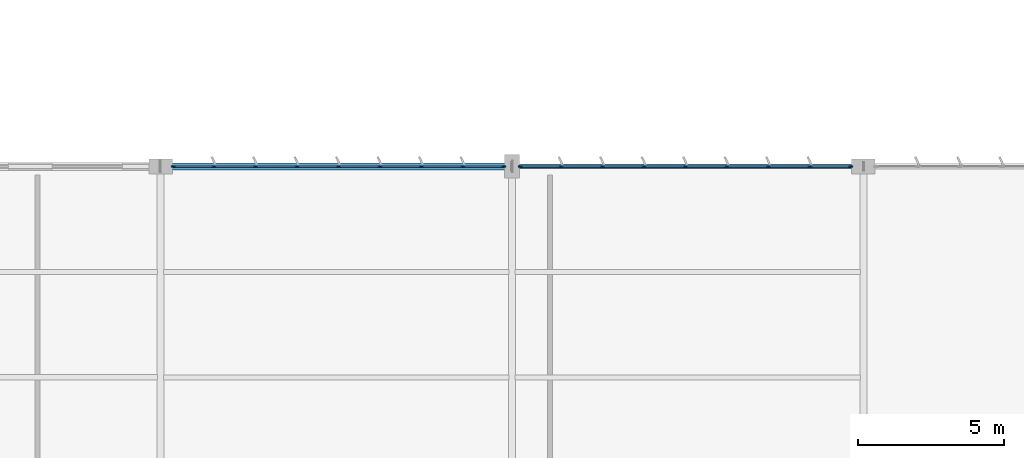
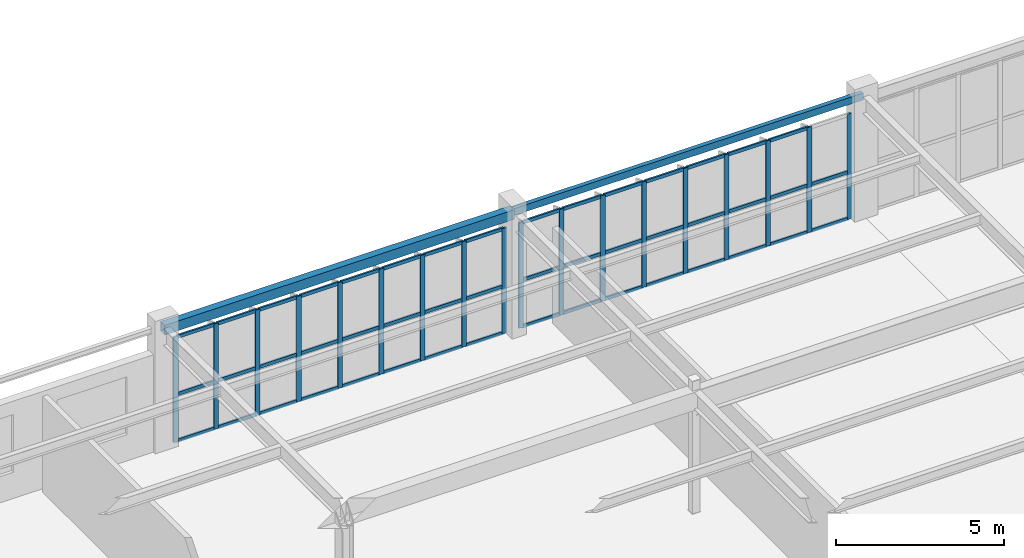
# One storey, part 111 of 199: 65 members, 2 beams, 2 elements without a shape of their own.
"""IFC4 building model written with IfcOpenShell, lengths in metres."""

from ifc_helpers import new_model, si_unit, direction, frame, origin, origin_2d, place, context, subcontext, project, spatial, rectangle, hollow_rectangle, extrude, material, layer, layer_set, material_profile, profile_set, type_object, element, aggregate, save


model = new_model("IFC4")

# Units and contexts
model_context = context("Model", 3, precision=1e-05, world=origin(), true_north=direction((0.0, 1.0)))
body_context = subcontext(model_context, "Body", "Model", "MODEL_VIEW")
ifc_project = project(units=[si_unit("LENGTHUNIT", "METRE"), si_unit("AREAUNIT", "SQUARE_METRE"), si_unit("VOLUMEUNIT", "CUBIC_METRE"), si_unit("PLANEANGLEUNIT", "RADIAN"), si_unit("MASSUNIT", "GRAM", prefix="KILO")], contexts=[model_context])

# Site, building, storey
site_placement = place(None, origin())
site = spatial("IfcSite", under=ifc_project, at=site_placement, CompositionType="ELEMENT")
building_placement = place(site_placement, origin())
building = spatial("IfcBuilding", under=site, at=building_placement, Name="Tarnwether General Hospital", CompositionType="ELEMENT")
storey_placement = place(building_placement, origin())
storey = spatial("IfcBuildingStorey", under=building, at=storey_placement, Name="L00", CompositionType="ELEMENT", Elevation=0.0)

# Beams
ifc_material_1 = material(Name="Steel Grade C350L0 (350 MPa)", Category="steel")
ifc_material_profile_1 = material_profile(ifc_material_1, hollow_rectangle(XDim=0.25, YDim=0.35009765625, WallThickness=0.012451171875, at=origin_2d()), Name="RHS350x250x12.5")
ifc_profile_set_1 = profile_set([ifc_material_profile_1], Name="Steel Grade C350L0 (350 MPa)")
beam_type_1 = type_object("IfcBeamType", Name="BM-SP7", PredefinedType="SPANDREL", material=ifc_profile_set_1)
beam_1_placement = place(storey_placement, frame((36.0, 126.0, 4.27001953125), z_axis=(1.0, 0.0, 0.0), x_axis=(0.0, 1.0, 0.0)))
element("IfcBeam", 1, at=beam_1_placement, inside=storey, type_object=beam_type_1, Name="Primary Girder BMG-L00-3600_12600-4800_12600-0668", PredefinedType="SPANDREL", context=body_context, shape_type="SweptSolid", body=[
    extrude(hollow_rectangle(XDim=0.25, YDim=0.35009765625, WallThickness=0.012451171875, at=origin_2d()), origin(), (0.0, 0.0, 1.0), 12.0),
])
ifc_material_2 = material(Name="Steel Grade C350L0 (350 MPa)", Category="steel")
ifc_material_profile_2 = material_profile(ifc_material_2, hollow_rectangle(XDim=0.14990234375, YDim=0.25, WallThickness=0.008056640625, at=origin_2d()), Name="RHS250x150x8")
ifc_profile_set_2 = profile_set([ifc_material_profile_2], Name="Steel Grade C350L0 (350 MPa)")
beam_type_2 = type_object("IfcBeamType", Name="BM-SP8", PredefinedType="SPANDREL", material=ifc_profile_set_2)
beam_2_placement = place(storey_placement, frame((48.0, 126.0, 4.320068359375), z_axis=(1.0, 0.0, 0.0), x_axis=(0.0, 1.0, 0.0)))
element("IfcBeam", 2, at=beam_2_placement, inside=storey, type_object=beam_type_2, Name="Primary Girder BMG-L00-4800_12600-6000_12600-0691", PredefinedType="SPANDREL", context=body_context, shape_type="SweptSolid", body=[
    extrude(hollow_rectangle(XDim=0.14990234375, YDim=0.25, WallThickness=0.008056640625, at=origin_2d()), origin(), (0.0, 0.0, 1.0), 12.0),
])

# Curtain wall, members
ifc_material_3 = material(Name="Anodised aluminium", Category="aluminium")
ifc_layer = layer(ifc_material_3, 0.159912109375)
ifc_layer_set = layer_set([ifc_layer], Name="Anodised aluminium")
curtain_wall_type = type_object("IfcCurtainWallType", Name="CW-12", PredefinedType="NOTDEFINED", material=ifc_layer_set)
curtain_wall_1_placement = place(storey_placement, origin())
curtain_wall_1 = element("IfcCurtainWall", 3, at=curtain_wall_1_placement, inside=storey, type_object=curtain_wall_type, Name="Curtain Wall CWG-L00-364_1260-0273", PredefinedType="NOTDEFINED")
ifc_material_4 = material(Name="Anodised aluminium", Category="aluminium")
ifc_material_profile_3 = material_profile(ifc_material_4, rectangle(XDim=0.06005859375, YDim=0.159912109375, at=origin_2d()), Name="ALU-MUL-60x160")
ifc_profile_set_3 = profile_set([ifc_material_profile_3], Name="Anodised aluminium")
member_type_1 = type_object("IfcMemberType", Name="CW-ML1", PredefinedType="MULLION", material=ifc_profile_set_3)
member_1_placement = place(storey_placement, frame((36.43798828125, 126.0, 0.0), z_axis=(0.0, 0.0, 1.0), x_axis=(0.0, 1.0, 0.0)))
member_1 = element("IfcMember", 4, at=member_1_placement, type_object=member_type_1, Name="CW-12 mullion 1", PredefinedType="MULLION", context=body_context, shape_type="SweptSolid", body=[
    extrude(rectangle(XDim=0.06005859375, YDim=0.159912109375, at=origin_2d()), origin(), (0.0, 0.0, 1.0), 3.822998046875),
])
member_2_placement = place(storey_placement, frame((37.82470703125, 126.0, 0.0), z_axis=(0.0, 0.0, 1.0), x_axis=(0.0, 1.0, 0.0)))
member_2 = element("IfcMember", 5, at=member_2_placement, type_object=member_type_1, Name="CW-12 mullion 2", PredefinedType="MULLION", context=body_context, shape_type="SweptSolid", body=[
    extrude(rectangle(XDim=0.06005859375, YDim=0.159912109375, at=origin_2d()), origin(), (0.0, 0.0, 1.0), 3.822998046875),
])
member_3_placement = place(storey_placement, frame((39.241455078125, 126.0, 0.0), z_axis=(0.0, 0.0, 1.0), x_axis=(0.0, 1.0, 0.0)))
member_3 = element("IfcMember", 6, at=member_3_placement, type_object=member_type_1, Name="CW-12 mullion 3", PredefinedType="MULLION", context=body_context, shape_type="SweptSolid", body=[
    extrude(rectangle(XDim=0.06005859375, YDim=0.159912109375, at=origin_2d()), origin(), (0.0, 0.0, 1.0), 3.822998046875),
])
member_4_placement = place(storey_placement, frame((40.658203125, 126.0, 0.0), z_axis=(0.0, 0.0, 1.0), x_axis=(0.0, 1.0, 0.0)))
member_4 = element("IfcMember", 7, at=member_4_placement, type_object=member_type_1, Name="CW-12 mullion 4", PredefinedType="MULLION", context=body_context, shape_type="SweptSolid", body=[
    extrude(rectangle(XDim=0.06005859375, YDim=0.159912109375, at=origin_2d()), origin(), (0.0, 0.0, 1.0), 3.822998046875),
])
member_5_placement = place(storey_placement, frame((42.074951171875, 126.0, 0.0), z_axis=(0.0, 0.0, 1.0), x_axis=(0.0, 1.0, 0.0)))
member_5 = element("IfcMember", 8, at=member_5_placement, type_object=member_type_1, Name="CW-12 mullion 5", PredefinedType="MULLION", context=body_context, shape_type="SweptSolid", body=[
    extrude(rectangle(XDim=0.06005859375, YDim=0.159912109375, at=origin_2d()), origin(), (0.0, 0.0, 1.0), 3.822998046875),
])
member_6_placement = place(storey_placement, frame((43.49169921875, 126.0, 0.0), z_axis=(0.0, 0.0, 1.0), x_axis=(0.0, 1.0, 0.0)))
member_6 = element("IfcMember", 9, at=member_6_placement, type_object=member_type_1, Name="CW-12 mullion 6", PredefinedType="MULLION", context=body_context, shape_type="SweptSolid", body=[
    extrude(rectangle(XDim=0.06005859375, YDim=0.159912109375, at=origin_2d()), origin(), (0.0, 0.0, 1.0), 3.822998046875),
])
member_7_placement = place(storey_placement, frame((44.908447265625, 126.0, 0.0), z_axis=(0.0, 0.0, 1.0), x_axis=(0.0, 1.0, 0.0)))
member_7 = element("IfcMember", 10, at=member_7_placement, type_object=member_type_1, Name="CW-12 mullion 7", PredefinedType="MULLION", context=body_context, shape_type="SweptSolid", body=[
    extrude(rectangle(XDim=0.06005859375, YDim=0.159912109375, at=origin_2d()), origin(), (0.0, 0.0, 1.0), 3.822998046875),
])
member_8_placement = place(storey_placement, frame((46.3251953125, 126.0, 0.0), z_axis=(0.0, 0.0, 1.0), x_axis=(0.0, 1.0, 0.0)))
member_8 = element("IfcMember", 11, at=member_8_placement, type_object=member_type_1, Name="CW-12 mullion 8", PredefinedType="MULLION", context=body_context, shape_type="SweptSolid", body=[
    extrude(rectangle(XDim=0.06005859375, YDim=0.159912109375, at=origin_2d()), origin(), (0.0, 0.0, 1.0), 3.822998046875),
])
member_9_placement = place(storey_placement, frame((47.7119140625, 126.0, 0.0), z_axis=(0.0, 0.0, 1.0), x_axis=(0.0, 1.0, 0.0)))
member_9 = element("IfcMember", 12, at=member_9_placement, type_object=member_type_1, Name="CW-12 mullion 9", PredefinedType="MULLION", context=body_context, shape_type="SweptSolid", body=[
    extrude(rectangle(XDim=0.06005859375, YDim=0.159912109375, at=origin_2d()), origin(), (0.0, 0.0, 1.0), 3.822998046875),
])

curtain_wall_2_placement = place(storey_placement, origin())
curtain_wall_2 = element("IfcCurtainWall", 13, at=curtain_wall_2_placement, inside=storey, type_object=curtain_wall_type, Name="Curtain Wall CWG-L00-483_1260-0274", PredefinedType="NOTDEFINED")
member_10_placement = place(storey_placement, frame((48.2880859375, 126.0, 0.0), z_axis=(0.0, 0.0, 1.0), x_axis=(0.0, 1.0, 0.0)))
member_10 = element("IfcMember", 14, at=member_10_placement, type_object=member_type_1, Name="CW-12 mullion 1", PredefinedType="MULLION", context=body_context, shape_type="SweptSolid", body=[
    extrude(rectangle(XDim=0.06005859375, YDim=0.159912109375, at=origin_2d()), origin(), (0.0, 0.0, 1.0), 3.822998046875),
])
member_11_placement = place(storey_placement, frame((49.6748046875, 126.0, 0.0), z_axis=(0.0, 0.0, 1.0), x_axis=(0.0, 1.0, 0.0)))
member_11 = element("IfcMember", 15, at=member_11_placement, type_object=member_type_1, Name="CW-12 mullion 2", PredefinedType="MULLION", context=body_context, shape_type="SweptSolid", body=[
    extrude(rectangle(XDim=0.06005859375, YDim=0.159912109375, at=origin_2d()), origin(), (0.0, 0.0, 1.0), 3.822998046875),
])
member_12_placement = place(storey_placement, frame((51.091552734375, 126.0, 0.0), z_axis=(0.0, 0.0, 1.0), x_axis=(0.0, 1.0, 0.0)))
member_12 = element("IfcMember", 16, at=member_12_placement, type_object=member_type_1, Name="CW-12 mullion 3", PredefinedType="MULLION", context=body_context, shape_type="SweptSolid", body=[
    extrude(rectangle(XDim=0.06005859375, YDim=0.159912109375, at=origin_2d()), origin(), (0.0, 0.0, 1.0), 3.822998046875),
])
member_13_placement = place(storey_placement, frame((52.50830078125, 126.0, 0.0), z_axis=(0.0, 0.0, 1.0), x_axis=(0.0, 1.0, 0.0)))
member_13 = element("IfcMember", 17, at=member_13_placement, type_object=member_type_1, Name="CW-12 mullion 4", PredefinedType="MULLION", context=body_context, shape_type="SweptSolid", body=[
    extrude(rectangle(XDim=0.06005859375, YDim=0.159912109375, at=origin_2d()), origin(), (0.0, 0.0, 1.0), 3.822998046875),
])
member_14_placement = place(storey_placement, frame((53.925048828125, 126.0, 0.0), z_axis=(0.0, 0.0, 1.0), x_axis=(0.0, 1.0, 0.0)))
member_14 = element("IfcMember", 18, at=member_14_placement, type_object=member_type_1, Name="CW-12 mullion 5", PredefinedType="MULLION", context=body_context, shape_type="SweptSolid", body=[
    extrude(rectangle(XDim=0.06005859375, YDim=0.159912109375, at=origin_2d()), origin(), (0.0, 0.0, 1.0), 3.822998046875),
])
member_15_placement = place(storey_placement, frame((55.341796875, 126.0, 0.0), z_axis=(0.0, 0.0, 1.0), x_axis=(0.0, 1.0, 0.0)))
member_15 = element("IfcMember", 19, at=member_15_placement, type_object=member_type_1, Name="CW-12 mullion 6", PredefinedType="MULLION", context=body_context, shape_type="SweptSolid", body=[
    extrude(rectangle(XDim=0.06005859375, YDim=0.159912109375, at=origin_2d()), origin(), (0.0, 0.0, 1.0), 3.822998046875),
])
member_16_placement = place(storey_placement, frame((56.758544921875, 126.0, 0.0), z_axis=(0.0, 0.0, 1.0), x_axis=(0.0, 1.0, 0.0)))
member_16 = element("IfcMember", 20, at=member_16_placement, type_object=member_type_1, Name="CW-12 mullion 7", PredefinedType="MULLION", context=body_context, shape_type="SweptSolid", body=[
    extrude(rectangle(XDim=0.06005859375, YDim=0.159912109375, at=origin_2d()), origin(), (0.0, 0.0, 1.0), 3.822998046875),
])
member_17_placement = place(storey_placement, frame((58.17529296875, 126.0, 0.0), z_axis=(0.0, 0.0, 1.0), x_axis=(0.0, 1.0, 0.0)))
member_17 = element("IfcMember", 21, at=member_17_placement, type_object=member_type_1, Name="CW-12 mullion 8", PredefinedType="MULLION", context=body_context, shape_type="SweptSolid", body=[
    extrude(rectangle(XDim=0.06005859375, YDim=0.159912109375, at=origin_2d()), origin(), (0.0, 0.0, 1.0), 3.822998046875),
])
member_18_placement = place(storey_placement, frame((59.56201171875, 126.0, 0.0), z_axis=(0.0, 0.0, 1.0), x_axis=(0.0, 1.0, 0.0)))
member_18 = element("IfcMember", 22, at=member_18_placement, type_object=member_type_1, Name="CW-12 mullion 9", PredefinedType="MULLION", context=body_context, shape_type="SweptSolid", body=[
    extrude(rectangle(XDim=0.06005859375, YDim=0.159912109375, at=origin_2d()), origin(), (0.0, 0.0, 1.0), 3.822998046875),
])

# Member
ifc_material_5 = material(Name="Anodised aluminium", Category="aluminium")
ifc_material_profile_4 = material_profile(ifc_material_5, rectangle(XDim=0.06005859375, YDim=0.1201171875, at=origin_2d()), Name="ALU-TRN-60x120")
ifc_profile_set_4 = profile_set([ifc_material_profile_4], Name="Anodised aluminium")
member_type_2 = type_object("IfcMemberType", Name="CW-TR1", PredefinedType="USERDEFINED", material=ifc_profile_set_4)
member_19_placement = place(storey_placement, frame((36.468017578125, 126.0, 0.030029296875), z_axis=(1.0, 0.0, 0.0), x_axis=(0.0, 1.0, 0.0)))
member_19 = element("IfcMember", 23, at=member_19_placement, type_object=member_type_2, Name="CW-12 transom 1.1", ObjectType="TRANSOM", PredefinedType="USERDEFINED", context=body_context, shape_type="SweptSolid", body=[
    extrude(rectangle(XDim=0.06005859375, YDim=0.1201171875, at=origin_2d()), origin(), (0.0, 0.0, 1.0), 1.32666015625),
])

member_20_placement = place(storey_placement, frame((36.468017578125, 126.0, 1.720458984375), z_axis=(1.0, 0.0, 0.0), x_axis=(0.0, 1.0, 0.0)))
member_20 = element("IfcMember", 24, at=member_20_placement, type_object=member_type_2, Name="CW-12 transom 1.2", ObjectType="TRANSOM", PredefinedType="USERDEFINED", context=body_context, shape_type="SweptSolid", body=[
    extrude(rectangle(XDim=0.06005859375, YDim=0.1201171875, at=origin_2d()), origin(), (0.0, 0.0, 1.0), 1.32666015625),
])

member_21_placement = place(storey_placement, frame((36.468017578125, 126.0, 3.79296875), z_axis=(1.0, 0.0, 0.0), x_axis=(0.0, 1.0, 0.0)))
member_21 = element("IfcMember", 25, at=member_21_placement, type_object=member_type_2, Name="CW-12 transom 1.3", ObjectType="TRANSOM", PredefinedType="USERDEFINED", context=body_context, shape_type="SweptSolid", body=[
    extrude(rectangle(XDim=0.06005859375, YDim=0.1201171875, at=origin_2d()), origin(), (0.0, 0.0, 1.0), 1.32666015625),
])

member_22_placement = place(storey_placement, frame((37.854736328125, 126.0, 0.030029296875), z_axis=(1.0, 0.0, 0.0), x_axis=(0.0, 1.0, 0.0)))
member_22 = element("IfcMember", 26, at=member_22_placement, type_object=member_type_2, Name="CW-12 transom 2.1", ObjectType="TRANSOM", PredefinedType="USERDEFINED", context=body_context, shape_type="SweptSolid", body=[
    extrude(rectangle(XDim=0.06005859375, YDim=0.1201171875, at=origin_2d()), origin(), (0.0, 0.0, 1.0), 1.356689453125),
])

member_23_placement = place(storey_placement, frame((37.854736328125, 126.0, 1.720458984375), z_axis=(1.0, 0.0, 0.0), x_axis=(0.0, 1.0, 0.0)))
member_23 = element("IfcMember", 27, at=member_23_placement, type_object=member_type_2, Name="CW-12 transom 2.2", ObjectType="TRANSOM", PredefinedType="USERDEFINED", context=body_context, shape_type="SweptSolid", body=[
    extrude(rectangle(XDim=0.06005859375, YDim=0.1201171875, at=origin_2d()), origin(), (0.0, 0.0, 1.0), 1.356689453125),
])

member_24_placement = place(storey_placement, frame((37.854736328125, 126.0, 3.79296875), z_axis=(1.0, 0.0, 0.0), x_axis=(0.0, 1.0, 0.0)))
member_24 = element("IfcMember", 28, at=member_24_placement, type_object=member_type_2, Name="CW-12 transom 2.3", ObjectType="TRANSOM", PredefinedType="USERDEFINED", context=body_context, shape_type="SweptSolid", body=[
    extrude(rectangle(XDim=0.06005859375, YDim=0.1201171875, at=origin_2d()), origin(), (0.0, 0.0, 1.0), 1.356689453125),
])

member_25_placement = place(storey_placement, frame((39.271484375, 126.0, 0.030029296875), z_axis=(1.0, 0.0, 0.0), x_axis=(0.0, 1.0, 0.0)))
member_25 = element("IfcMember", 29, at=member_25_placement, type_object=member_type_2, Name="CW-12 transom 3.1", ObjectType="TRANSOM", PredefinedType="USERDEFINED", context=body_context, shape_type="SweptSolid", body=[
    extrude(rectangle(XDim=0.06005859375, YDim=0.1201171875, at=origin_2d()), origin(), (0.0, 0.0, 1.0), 1.356689453125),
])

member_26_placement = place(storey_placement, frame((39.271484375, 126.0, 1.720458984375), z_axis=(1.0, 0.0, 0.0), x_axis=(0.0, 1.0, 0.0)))
member_26 = element("IfcMember", 30, at=member_26_placement, type_object=member_type_2, Name="CW-12 transom 3.2", ObjectType="TRANSOM", PredefinedType="USERDEFINED", context=body_context, shape_type="SweptSolid", body=[
    extrude(rectangle(XDim=0.06005859375, YDim=0.1201171875, at=origin_2d()), origin(), (0.0, 0.0, 1.0), 1.356689453125),
])

member_27_placement = place(storey_placement, frame((39.271484375, 126.0, 3.79296875), z_axis=(1.0, 0.0, 0.0), x_axis=(0.0, 1.0, 0.0)))
member_27 = element("IfcMember", 31, at=member_27_placement, type_object=member_type_2, Name="CW-12 transom 3.3", ObjectType="TRANSOM", PredefinedType="USERDEFINED", context=body_context, shape_type="SweptSolid", body=[
    extrude(rectangle(XDim=0.06005859375, YDim=0.1201171875, at=origin_2d()), origin(), (0.0, 0.0, 1.0), 1.356689453125),
])

member_28_placement = place(storey_placement, frame((40.688232421875, 126.0, 0.030029296875), z_axis=(1.0, 0.0, 0.0), x_axis=(0.0, 1.0, 0.0)))
member_28 = element("IfcMember", 32, at=member_28_placement, type_object=member_type_2, Name="CW-12 transom 4.1", ObjectType="TRANSOM", PredefinedType="USERDEFINED", context=body_context, shape_type="SweptSolid", body=[
    extrude(rectangle(XDim=0.06005859375, YDim=0.1201171875, at=origin_2d()), origin(), (0.0, 0.0, 1.0), 1.356689453125),
])

member_29_placement = place(storey_placement, frame((40.688232421875, 126.0, 1.720458984375), z_axis=(1.0, 0.0, 0.0), x_axis=(0.0, 1.0, 0.0)))
member_29 = element("IfcMember", 33, at=member_29_placement, type_object=member_type_2, Name="CW-12 transom 4.2", ObjectType="TRANSOM", PredefinedType="USERDEFINED", context=body_context, shape_type="SweptSolid", body=[
    extrude(rectangle(XDim=0.06005859375, YDim=0.1201171875, at=origin_2d()), origin(), (0.0, 0.0, 1.0), 1.356689453125),
])

member_30_placement = place(storey_placement, frame((40.688232421875, 126.0, 3.79296875), z_axis=(1.0, 0.0, 0.0), x_axis=(0.0, 1.0, 0.0)))
member_30 = element("IfcMember", 34, at=member_30_placement, type_object=member_type_2, Name="CW-12 transom 4.3", ObjectType="TRANSOM", PredefinedType="USERDEFINED", context=body_context, shape_type="SweptSolid", body=[
    extrude(rectangle(XDim=0.06005859375, YDim=0.1201171875, at=origin_2d()), origin(), (0.0, 0.0, 1.0), 1.356689453125),
])

member_31_placement = place(storey_placement, frame((42.10498046875, 126.0, 0.030029296875), z_axis=(1.0, 0.0, 0.0), x_axis=(0.0, 1.0, 0.0)))
member_31 = element("IfcMember", 35, at=member_31_placement, type_object=member_type_2, Name="CW-12 transom 5.1", ObjectType="TRANSOM", PredefinedType="USERDEFINED", context=body_context, shape_type="SweptSolid", body=[
    extrude(rectangle(XDim=0.06005859375, YDim=0.1201171875, at=origin_2d()), origin(), (0.0, 0.0, 1.0), 1.356689453125),
])

member_32_placement = place(storey_placement, frame((42.10498046875, 126.0, 1.720458984375), z_axis=(1.0, 0.0, 0.0), x_axis=(0.0, 1.0, 0.0)))
member_32 = element("IfcMember", 36, at=member_32_placement, type_object=member_type_2, Name="CW-12 transom 5.2", ObjectType="TRANSOM", PredefinedType="USERDEFINED", context=body_context, shape_type="SweptSolid", body=[
    extrude(rectangle(XDim=0.06005859375, YDim=0.1201171875, at=origin_2d()), origin(), (0.0, 0.0, 1.0), 1.356689453125),
])

member_33_placement = place(storey_placement, frame((42.10498046875, 126.0, 3.79296875), z_axis=(1.0, 0.0, 0.0), x_axis=(0.0, 1.0, 0.0)))
member_33 = element("IfcMember", 37, at=member_33_placement, type_object=member_type_2, Name="CW-12 transom 5.3", ObjectType="TRANSOM", PredefinedType="USERDEFINED", context=body_context, shape_type="SweptSolid", body=[
    extrude(rectangle(XDim=0.06005859375, YDim=0.1201171875, at=origin_2d()), origin(), (0.0, 0.0, 1.0), 1.356689453125),
])

member_34_placement = place(storey_placement, frame((43.521728515625, 126.0, 0.030029296875), z_axis=(1.0, 0.0, 0.0), x_axis=(0.0, 1.0, 0.0)))
member_34 = element("IfcMember", 38, at=member_34_placement, type_object=member_type_2, Name="CW-12 transom 6.1", ObjectType="TRANSOM", PredefinedType="USERDEFINED", context=body_context, shape_type="SweptSolid", body=[
    extrude(rectangle(XDim=0.06005859375, YDim=0.1201171875, at=origin_2d()), origin(), (0.0, 0.0, 1.0), 1.356689453125),
])

member_35_placement = place(storey_placement, frame((43.521728515625, 126.0, 1.720458984375), z_axis=(1.0, 0.0, 0.0), x_axis=(0.0, 1.0, 0.0)))
member_35 = element("IfcMember", 39, at=member_35_placement, type_object=member_type_2, Name="CW-12 transom 6.2", ObjectType="TRANSOM", PredefinedType="USERDEFINED", context=body_context, shape_type="SweptSolid", body=[
    extrude(rectangle(XDim=0.06005859375, YDim=0.1201171875, at=origin_2d()), origin(), (0.0, 0.0, 1.0), 1.356689453125),
])

member_36_placement = place(storey_placement, frame((43.521728515625, 126.0, 3.79296875), z_axis=(1.0, 0.0, 0.0), x_axis=(0.0, 1.0, 0.0)))
member_36 = element("IfcMember", 40, at=member_36_placement, type_object=member_type_2, Name="CW-12 transom 6.3", ObjectType="TRANSOM", PredefinedType="USERDEFINED", context=body_context, shape_type="SweptSolid", body=[
    extrude(rectangle(XDim=0.06005859375, YDim=0.1201171875, at=origin_2d()), origin(), (0.0, 0.0, 1.0), 1.356689453125),
])

member_37_placement = place(storey_placement, frame((44.9384765625, 126.0, 0.030029296875), z_axis=(1.0, 0.0, 0.0), x_axis=(0.0, 1.0, 0.0)))
member_37 = element("IfcMember", 41, at=member_37_placement, type_object=member_type_2, Name="CW-12 transom 7.1", ObjectType="TRANSOM", PredefinedType="USERDEFINED", context=body_context, shape_type="SweptSolid", body=[
    extrude(rectangle(XDim=0.06005859375, YDim=0.1201171875, at=origin_2d()), origin(), (0.0, 0.0, 1.0), 1.356689453125),
])

member_38_placement = place(storey_placement, frame((44.9384765625, 126.0, 1.720458984375), z_axis=(1.0, 0.0, 0.0), x_axis=(0.0, 1.0, 0.0)))
member_38 = element("IfcMember", 42, at=member_38_placement, type_object=member_type_2, Name="CW-12 transom 7.2", ObjectType="TRANSOM", PredefinedType="USERDEFINED", context=body_context, shape_type="SweptSolid", body=[
    extrude(rectangle(XDim=0.06005859375, YDim=0.1201171875, at=origin_2d()), origin(), (0.0, 0.0, 1.0), 1.356689453125),
])

member_39_placement = place(storey_placement, frame((44.9384765625, 126.0, 3.79296875), z_axis=(1.0, 0.0, 0.0), x_axis=(0.0, 1.0, 0.0)))
member_39 = element("IfcMember", 43, at=member_39_placement, type_object=member_type_2, Name="CW-12 transom 7.3", ObjectType="TRANSOM", PredefinedType="USERDEFINED", context=body_context, shape_type="SweptSolid", body=[
    extrude(rectangle(XDim=0.06005859375, YDim=0.1201171875, at=origin_2d()), origin(), (0.0, 0.0, 1.0), 1.356689453125),
])

member_40_placement = place(storey_placement, frame((46.355224609375, 126.0, 0.030029296875), z_axis=(1.0, 0.0, 0.0), x_axis=(0.0, 1.0, 0.0)))
member_40 = element("IfcMember", 44, at=member_40_placement, type_object=member_type_2, Name="CW-12 transom 8.1", ObjectType="TRANSOM", PredefinedType="USERDEFINED", context=body_context, shape_type="SweptSolid", body=[
    extrude(rectangle(XDim=0.06005859375, YDim=0.1201171875, at=origin_2d()), origin(), (0.0, 0.0, 1.0), 1.32666015625),
])

member_41_placement = place(storey_placement, frame((46.355224609375, 126.0, 1.720458984375), z_axis=(1.0, 0.0, 0.0), x_axis=(0.0, 1.0, 0.0)))
member_41 = element("IfcMember", 45, at=member_41_placement, type_object=member_type_2, Name="CW-12 transom 8.2", ObjectType="TRANSOM", PredefinedType="USERDEFINED", context=body_context, shape_type="SweptSolid", body=[
    extrude(rectangle(XDim=0.06005859375, YDim=0.1201171875, at=origin_2d()), origin(), (0.0, 0.0, 1.0), 1.32666015625),
])

member_42_placement = place(storey_placement, frame((46.355224609375, 126.0, 3.79296875), z_axis=(1.0, 0.0, 0.0), x_axis=(0.0, 1.0, 0.0)))
member_42 = element("IfcMember", 46, at=member_42_placement, type_object=member_type_2, Name="CW-12 transom 8.3", ObjectType="TRANSOM", PredefinedType="USERDEFINED", context=body_context, shape_type="SweptSolid", body=[
    extrude(rectangle(XDim=0.06005859375, YDim=0.1201171875, at=origin_2d()), origin(), (0.0, 0.0, 1.0), 1.32666015625),
])

aggregate(curtain_wall_1, [member_1, member_2, member_3, member_4, member_5, member_6, member_7, member_8, member_9, member_19, member_20, member_21, member_22, member_23, member_24, member_25, member_26, member_27, member_28, member_29, member_30, member_31, member_32, member_33, member_34, member_35, member_36, member_37, member_38, member_39, member_40, member_41, member_42])

member_43_placement = place(storey_placement, frame((48.318115234375, 126.0, 0.030029296875), z_axis=(1.0, 0.0, 0.0), x_axis=(0.0, 1.0, 0.0)))
member_43 = element("IfcMember", 47, at=member_43_placement, type_object=member_type_2, Name="CW-12 transom 1.1", ObjectType="TRANSOM", PredefinedType="USERDEFINED", context=body_context, shape_type="SweptSolid", body=[
    extrude(rectangle(XDim=0.06005859375, YDim=0.1201171875, at=origin_2d()), origin(), (0.0, 0.0, 1.0), 1.32666015625),
])

member_44_placement = place(storey_placement, frame((48.318115234375, 126.0, 1.720458984375), z_axis=(1.0, 0.0, 0.0), x_axis=(0.0, 1.0, 0.0)))
member_44 = element("IfcMember", 48, at=member_44_placement, type_object=member_type_2, Name="CW-12 transom 1.2", ObjectType="TRANSOM", PredefinedType="USERDEFINED", context=body_context, shape_type="SweptSolid", body=[
    extrude(rectangle(XDim=0.06005859375, YDim=0.1201171875, at=origin_2d()), origin(), (0.0, 0.0, 1.0), 1.32666015625),
])

member_45_placement = place(storey_placement, frame((48.318115234375, 126.0, 3.79296875), z_axis=(1.0, 0.0, 0.0), x_axis=(0.0, 1.0, 0.0)))
member_45 = element("IfcMember", 49, at=member_45_placement, type_object=member_type_2, Name="CW-12 transom 1.3", ObjectType="TRANSOM", PredefinedType="USERDEFINED", context=body_context, shape_type="SweptSolid", body=[
    extrude(rectangle(XDim=0.06005859375, YDim=0.1201171875, at=origin_2d()), origin(), (0.0, 0.0, 1.0), 1.32666015625),
])

member_46_placement = place(storey_placement, frame((49.704833984375, 126.0, 0.030029296875), z_axis=(1.0, 0.0, 0.0), x_axis=(0.0, 1.0, 0.0)))
member_46 = element("IfcMember", 50, at=member_46_placement, type_object=member_type_2, Name="CW-12 transom 2.1", ObjectType="TRANSOM", PredefinedType="USERDEFINED", context=body_context, shape_type="SweptSolid", body=[
    extrude(rectangle(XDim=0.06005859375, YDim=0.1201171875, at=origin_2d()), origin(), (0.0, 0.0, 1.0), 1.356689453125),
])

member_47_placement = place(storey_placement, frame((49.704833984375, 126.0, 1.720458984375), z_axis=(1.0, 0.0, 0.0), x_axis=(0.0, 1.0, 0.0)))
member_47 = element("IfcMember", 51, at=member_47_placement, type_object=member_type_2, Name="CW-12 transom 2.2", ObjectType="TRANSOM", PredefinedType="USERDEFINED", context=body_context, shape_type="SweptSolid", body=[
    extrude(rectangle(XDim=0.06005859375, YDim=0.1201171875, at=origin_2d()), origin(), (0.0, 0.0, 1.0), 1.356689453125),
])

member_48_placement = place(storey_placement, frame((49.704833984375, 126.0, 3.79296875), z_axis=(1.0, 0.0, 0.0), x_axis=(0.0, 1.0, 0.0)))
member_48 = element("IfcMember", 52, at=member_48_placement, type_object=member_type_2, Name="CW-12 transom 2.3", ObjectType="TRANSOM", PredefinedType="USERDEFINED", context=body_context, shape_type="SweptSolid", body=[
    extrude(rectangle(XDim=0.06005859375, YDim=0.1201171875, at=origin_2d()), origin(), (0.0, 0.0, 1.0), 1.356689453125),
])

member_49_placement = place(storey_placement, frame((51.12158203125, 126.0, 0.030029296875), z_axis=(1.0, 0.0, 0.0), x_axis=(0.0, 1.0, 0.0)))
member_49 = element("IfcMember", 53, at=member_49_placement, type_object=member_type_2, Name="CW-12 transom 3.1", ObjectType="TRANSOM", PredefinedType="USERDEFINED", context=body_context, shape_type="SweptSolid", body=[
    extrude(rectangle(XDim=0.06005859375, YDim=0.1201171875, at=origin_2d()), origin(), (0.0, 0.0, 1.0), 1.356689453125),
])

member_50_placement = place(storey_placement, frame((51.12158203125, 126.0, 1.720458984375), z_axis=(1.0, 0.0, 0.0), x_axis=(0.0, 1.0, 0.0)))
member_50 = element("IfcMember", 54, at=member_50_placement, type_object=member_type_2, Name="CW-12 transom 3.2", ObjectType="TRANSOM", PredefinedType="USERDEFINED", context=body_context, shape_type="SweptSolid", body=[
    extrude(rectangle(XDim=0.06005859375, YDim=0.1201171875, at=origin_2d()), origin(), (0.0, 0.0, 1.0), 1.356689453125),
])

member_51_placement = place(storey_placement, frame((51.12158203125, 126.0, 3.79296875), z_axis=(1.0, 0.0, 0.0), x_axis=(0.0, 1.0, 0.0)))
member_51 = element("IfcMember", 55, at=member_51_placement, type_object=member_type_2, Name="CW-12 transom 3.3", ObjectType="TRANSOM", PredefinedType="USERDEFINED", context=body_context, shape_type="SweptSolid", body=[
    extrude(rectangle(XDim=0.06005859375, YDim=0.1201171875, at=origin_2d()), origin(), (0.0, 0.0, 1.0), 1.356689453125),
])

member_52_placement = place(storey_placement, frame((52.538330078125, 126.0, 0.030029296875), z_axis=(1.0, 0.0, 0.0), x_axis=(0.0, 1.0, 0.0)))
member_52 = element("IfcMember", 56, at=member_52_placement, type_object=member_type_2, Name="CW-12 transom 4.1", ObjectType="TRANSOM", PredefinedType="USERDEFINED", context=body_context, shape_type="SweptSolid", body=[
    extrude(rectangle(XDim=0.06005859375, YDim=0.1201171875, at=origin_2d()), origin(), (0.0, 0.0, 1.0), 1.356689453125),
])

member_53_placement = place(storey_placement, frame((52.538330078125, 126.0, 1.720458984375), z_axis=(1.0, 0.0, 0.0), x_axis=(0.0, 1.0, 0.0)))
member_53 = element("IfcMember", 57, at=member_53_placement, type_object=member_type_2, Name="CW-12 transom 4.2", ObjectType="TRANSOM", PredefinedType="USERDEFINED", context=body_context, shape_type="SweptSolid", body=[
    extrude(rectangle(XDim=0.06005859375, YDim=0.1201171875, at=origin_2d()), origin(), (0.0, 0.0, 1.0), 1.356689453125),
])

member_54_placement = place(storey_placement, frame((52.538330078125, 126.0, 3.79296875), z_axis=(1.0, 0.0, 0.0), x_axis=(0.0, 1.0, 0.0)))
member_54 = element("IfcMember", 58, at=member_54_placement, type_object=member_type_2, Name="CW-12 transom 4.3", ObjectType="TRANSOM", PredefinedType="USERDEFINED", context=body_context, shape_type="SweptSolid", body=[
    extrude(rectangle(XDim=0.06005859375, YDim=0.1201171875, at=origin_2d()), origin(), (0.0, 0.0, 1.0), 1.356689453125),
])

member_55_placement = place(storey_placement, frame((53.955078125, 126.0, 0.030029296875), z_axis=(1.0, 0.0, 0.0), x_axis=(0.0, 1.0, 0.0)))
member_55 = element("IfcMember", 59, at=member_55_placement, type_object=member_type_2, Name="CW-12 transom 5.1", ObjectType="TRANSOM", PredefinedType="USERDEFINED", context=body_context, shape_type="SweptSolid", body=[
    extrude(rectangle(XDim=0.06005859375, YDim=0.1201171875, at=origin_2d()), origin(), (0.0, 0.0, 1.0), 1.356689453125),
])

member_56_placement = place(storey_placement, frame((53.955078125, 126.0, 1.720458984375), z_axis=(1.0, 0.0, 0.0), x_axis=(0.0, 1.0, 0.0)))
member_56 = element("IfcMember", 60, at=member_56_placement, type_object=member_type_2, Name="CW-12 transom 5.2", ObjectType="TRANSOM", PredefinedType="USERDEFINED", context=body_context, shape_type="SweptSolid", body=[
    extrude(rectangle(XDim=0.06005859375, YDim=0.1201171875, at=origin_2d()), origin(), (0.0, 0.0, 1.0), 1.356689453125),
])

member_57_placement = place(storey_placement, frame((53.955078125, 126.0, 3.79296875), z_axis=(1.0, 0.0, 0.0), x_axis=(0.0, 1.0, 0.0)))
member_57 = element("IfcMember", 61, at=member_57_placement, type_object=member_type_2, Name="CW-12 transom 5.3", ObjectType="TRANSOM", PredefinedType="USERDEFINED", context=body_context, shape_type="SweptSolid", body=[
    extrude(rectangle(XDim=0.06005859375, YDim=0.1201171875, at=origin_2d()), origin(), (0.0, 0.0, 1.0), 1.356689453125),
])

member_58_placement = place(storey_placement, frame((55.371826171875, 126.0, 0.030029296875), z_axis=(1.0, 0.0, 0.0), x_axis=(0.0, 1.0, 0.0)))
member_58 = element("IfcMember", 62, at=member_58_placement, type_object=member_type_2, Name="CW-12 transom 6.1", ObjectType="TRANSOM", PredefinedType="USERDEFINED", context=body_context, shape_type="SweptSolid", body=[
    extrude(rectangle(XDim=0.06005859375, YDim=0.1201171875, at=origin_2d()), origin(), (0.0, 0.0, 1.0), 1.356689453125),
])

member_59_placement = place(storey_placement, frame((55.371826171875, 126.0, 1.720458984375), z_axis=(1.0, 0.0, 0.0), x_axis=(0.0, 1.0, 0.0)))
member_59 = element("IfcMember", 63, at=member_59_placement, type_object=member_type_2, Name="CW-12 transom 6.2", ObjectType="TRANSOM", PredefinedType="USERDEFINED", context=body_context, shape_type="SweptSolid", body=[
    extrude(rectangle(XDim=0.06005859375, YDim=0.1201171875, at=origin_2d()), origin(), (0.0, 0.0, 1.0), 1.356689453125),
])

member_60_placement = place(storey_placement, frame((55.371826171875, 126.0, 3.79296875), z_axis=(1.0, 0.0, 0.0), x_axis=(0.0, 1.0, 0.0)))
member_60 = element("IfcMember", 64, at=member_60_placement, type_object=member_type_2, Name="CW-12 transom 6.3", ObjectType="TRANSOM", PredefinedType="USERDEFINED", context=body_context, shape_type="SweptSolid", body=[
    extrude(rectangle(XDim=0.06005859375, YDim=0.1201171875, at=origin_2d()), origin(), (0.0, 0.0, 1.0), 1.356689453125),
])

member_61_placement = place(storey_placement, frame((56.78857421875, 126.0, 0.030029296875), z_axis=(1.0, 0.0, 0.0), x_axis=(0.0, 1.0, 0.0)))
member_61 = element("IfcMember", 65, at=member_61_placement, type_object=member_type_2, Name="CW-12 transom 7.1", ObjectType="TRANSOM", PredefinedType="USERDEFINED", context=body_context, shape_type="SweptSolid", body=[
    extrude(rectangle(XDim=0.06005859375, YDim=0.1201171875, at=origin_2d()), origin(), (0.0, 0.0, 1.0), 1.356689453125),
])

member_62_placement = place(storey_placement, frame((56.78857421875, 126.0, 1.720458984375), z_axis=(1.0, 0.0, 0.0), x_axis=(0.0, 1.0, 0.0)))
member_62 = element("IfcMember", 66, at=member_62_placement, type_object=member_type_2, Name="CW-12 transom 7.2", ObjectType="TRANSOM", PredefinedType="USERDEFINED", context=body_context, shape_type="SweptSolid", body=[
    extrude(rectangle(XDim=0.06005859375, YDim=0.1201171875, at=origin_2d()), origin(), (0.0, 0.0, 1.0), 1.356689453125),
])

member_63_placement = place(storey_placement, frame((56.78857421875, 126.0, 3.79296875), z_axis=(1.0, 0.0, 0.0), x_axis=(0.0, 1.0, 0.0)))
member_63 = element("IfcMember", 67, at=member_63_placement, type_object=member_type_2, Name="CW-12 transom 7.3", ObjectType="TRANSOM", PredefinedType="USERDEFINED", context=body_context, shape_type="SweptSolid", body=[
    extrude(rectangle(XDim=0.06005859375, YDim=0.1201171875, at=origin_2d()), origin(), (0.0, 0.0, 1.0), 1.356689453125),
])

member_64_placement = place(storey_placement, frame((58.205322265625, 126.0, 0.030029296875), z_axis=(1.0, 0.0, 0.0), x_axis=(0.0, 1.0, 0.0)))
member_64 = element("IfcMember", 68, at=member_64_placement, type_object=member_type_2, Name="CW-12 transom 8.1", ObjectType="TRANSOM", PredefinedType="USERDEFINED", context=body_context, shape_type="SweptSolid", body=[
    extrude(rectangle(XDim=0.06005859375, YDim=0.1201171875, at=origin_2d()), origin(), (0.0, 0.0, 1.0), 1.32666015625),
])

member_65_placement = place(storey_placement, frame((58.205322265625, 126.0, 1.720458984375), z_axis=(1.0, 0.0, 0.0), x_axis=(0.0, 1.0, 0.0)))
member_65 = element("IfcMember", 69, at=member_65_placement, type_object=member_type_2, Name="CW-12 transom 8.2", ObjectType="TRANSOM", PredefinedType="USERDEFINED", context=body_context, shape_type="SweptSolid", body=[
    extrude(rectangle(XDim=0.06005859375, YDim=0.1201171875, at=origin_2d()), origin(), (0.0, 0.0, 1.0), 1.32666015625),
])

aggregate(curtain_wall_2, [member_10, member_11, member_12, member_13, member_14, member_15, member_16, member_17, member_18, member_43, member_44, member_45, member_46, member_47, member_48, member_49, member_50, member_51, member_52, member_53, member_54, member_55, member_56, member_57, member_58, member_59, member_60, member_61, member_62, member_63, member_64, member_65])

save(model, "model.ifc")
